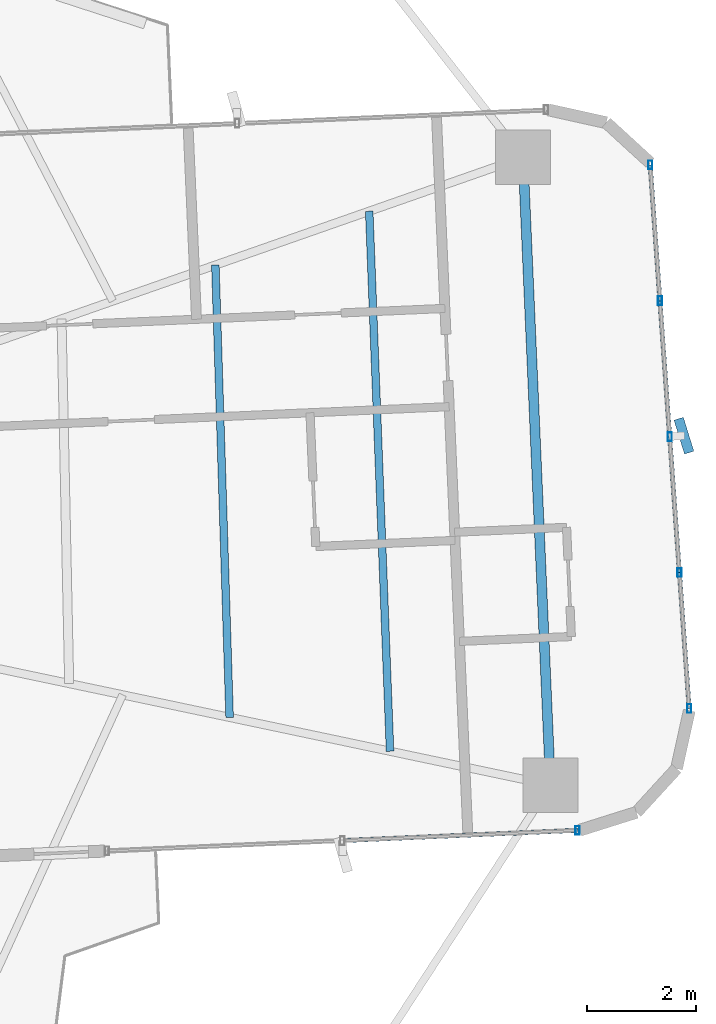
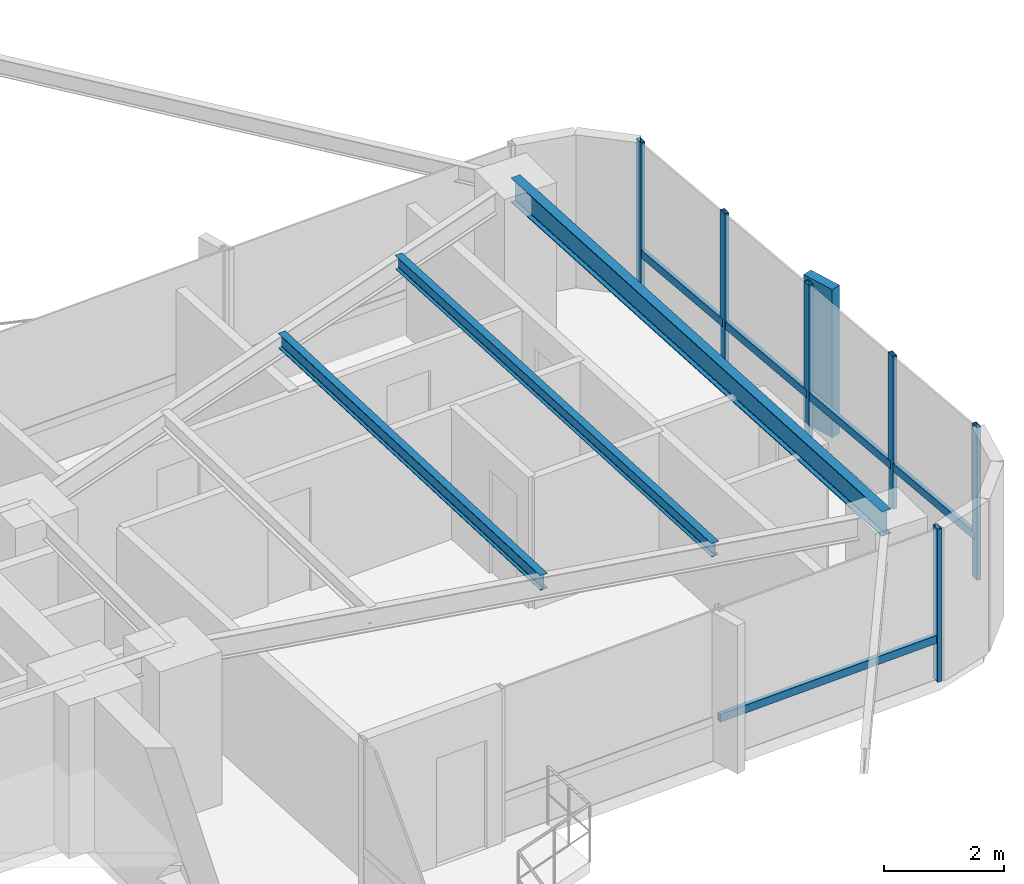
# One storey, part 15 of 27: 12 members, 3 beams, 2 elements without a shape of their own.
"""IFC4 building model written with IfcOpenShell, lengths in metres."""

from ifc_helpers import new_model, si_unit, direction, frame, origin, origin_2d, place, context, subcontext, project, spatial, rectangle, hollow_rectangle, i_section, extrude, source, transform, mapped, material, material_profile, profile_set, type_object, element, aggregate, save


model = new_model("IFC4")

# Units and contexts
model_context = context("Model", 3, precision=1e-05, world=origin(), true_north=direction((0.0, 1.0)))
body_context = subcontext(model_context, "Body", "Model", "MODEL_VIEW")
ifc_project = project(units=[si_unit("LENGTHUNIT", "METRE"), si_unit("AREAUNIT", "SQUARE_METRE"), si_unit("VOLUMEUNIT", "CUBIC_METRE"), si_unit("PLANEANGLEUNIT", "RADIAN"), si_unit("MASSUNIT", "GRAM", prefix="KILO")], contexts=[model_context])

# Site, building, storey
site_placement = place(None, origin())
site = spatial("IfcSite", under=ifc_project, at=site_placement, CompositionType="ELEMENT")
building_placement = place(site_placement, origin())
building = spatial("IfcBuilding", under=site, at=building_placement, Name="Sahyath Konkavel Grand Hotel", CompositionType="ELEMENT")
storey_placement = place(building_placement, frame((0.0, 0.0, 90.199951171875)))
storey = spatial("IfcBuildingStorey", under=building, at=storey_placement, Name="L24", CompositionType="ELEMENT", Elevation=90.199951171875)

# Beams
ifc_material_1 = material(Name="Steel E350", Category="steel")
ifc_material_profile_1 = material_profile(ifc_material_1, i_section(OverallWidth=0.179931640625, OverallDepth=0.5, WebThickness=0.01025390625, FlangeThickness=0.01708984375, FilletRadius=0.01708984375, at=origin_2d()), Name="ISMB 500")
ifc_profile_set_1 = profile_set([ifc_material_profile_1], Name="Steel E350")
beam_type_1 = type_object("IfcBeamType", Name="BM-ISMB500", PredefinedType="BEAM", material=ifc_profile_set_1)
shared_shape_1 = source(origin(), body_context, "Body", "SweptSolid", [
    extrude(i_section(OverallWidth=0.179931640625, OverallDepth=0.5, WebThickness=0.01025390625, FlangeThickness=0.01708984375, FilletRadius=0.01708984375, at=origin_2d()), origin(), (0.0, 0.0, 1.0), 11.5),
])
beam_1_placement = place(storey_placement, frame((17.734130859375, -4.981201171875, 2.860107421875), z_axis=(-0.043627008892, 0.99904788879, 0.0), x_axis=(-0.99904788879, -0.043627008892, 0.0)))
element("IfcBeam", 1, at=beam_1_placement, inside=storey, type_object=beam_type_1, Name="L24 Wing Tip Edge Beam E", PredefinedType="BEAM", context=body_context, shape_type="MappedRepresentation", body=[
    mapped(shared_shape_1, transform((0.0, 0.0, 0.0), scale=1.0)),
])
ifc_material_profile_2 = material_profile(ifc_material_1, i_section(OverallWidth=0.139892578125, OverallDepth=0.300048828125, WebThickness=0.0078125, FlangeThickness=0.01318359375, FilletRadius=0.013916015625, at=origin_2d()), Name="ISMB 300")
ifc_profile_set_2 = profile_set([ifc_material_profile_2], Name="Steel E350")
beam_type_2 = type_object("IfcBeamType", Name="BM-ISMB300", PredefinedType="BEAM", material=ifc_profile_set_2)
shared_shape_2 = source(origin(), body_context, "Body", "SweptSolid", [
    extrude(i_section(OverallWidth=0.139892578125, OverallDepth=0.300048828125, WebThickness=0.0078125, FlangeThickness=0.01318359375, FilletRadius=0.013916015625, at=origin_2d()), origin(), (0.0, 0.0, 1.0), 8.282470703125),
])
beam_2_placement = place(storey_placement, frame((11.86181640625, -3.7421875, 2.9599609375), z_axis=(-0.031510827707, 0.999503410568, 0.0), x_axis=(-0.999503410568, -0.031510827707, 0.0)))
element("IfcBeam", 2, at=beam_2_placement, inside=storey, type_object=beam_type_2, Name="L24 Secondary Floor Beam E-2", PredefinedType="BEAM", context=body_context, shape_type="MappedRepresentation", body=[
    mapped(shared_shape_2, transform((0.0, 0.0, 0.0), scale=1.0)),
])
ifc_material_profile_3 = material_profile(ifc_material_1, i_section(OverallWidth=0.139892578125, OverallDepth=0.27490234375, WebThickness=0.00634765625, FlangeThickness=0.0087890625, FilletRadius=0.012939453125, at=origin_2d()), Name="ISLB 275")
ifc_profile_set_3 = profile_set([ifc_material_profile_3], Name="Steel E350")
beam_type_3 = type_object("IfcBeamType", Name="BM-ISLB275", PredefinedType="BEAM", material=ifc_profile_set_3)
shared_shape_3 = source(origin(), body_context, "Body", "SweptSolid", [
    extrude(i_section(OverallWidth=0.139892578125, OverallDepth=0.27490234375, WebThickness=0.00634765625, FlangeThickness=0.0087890625, FilletRadius=0.012939453125, at=origin_2d()), origin(), (0.0, 0.0, 1.0), 9.89111328125),
])
beam_3_placement = place(storey_placement, frame((14.798095703125, -4.36181640625, 2.97265625), z_axis=(-0.03855445741, 0.999256500511, 0.0), x_axis=(-0.999256500511, -0.03855445741, 0.0)))
element("IfcBeam", 3, at=beam_3_placement, inside=storey, type_object=beam_type_3, Name="L24 Secondary Floor Beam E-3", PredefinedType="BEAM", context=body_context, shape_type="MappedRepresentation", body=[
    mapped(shared_shape_3, transform((0.0, 0.0, 0.0), scale=1.0)),
])

# Curtain wall, member
ifc_material_2 = material(Name="Anodised Bronze Aluminium & Low-E Glazing", Category="aluminium")
curtain_wall_type = type_object("IfcCurtainWallType", Name="CW-ZONE2", PredefinedType="NOTDEFINED", material=ifc_material_2)
curtain_wall_1_placement = place(storey_placement, origin())
curtain_wall_1 = element("IfcCurtainWall", 4, at=curtain_wall_1_placement, inside=storey, type_object=curtain_wall_type, Name="L24 Unitised Curtain Wall F4", PredefinedType="NOTDEFINED")
ifc_material_3 = material(Name="Warm Buff Sandstone Cladding on Concrete C50/60", Category="masonry")
ifc_material_profile_4 = material_profile(ifc_material_3, rectangle(XDim=0.179931640625, YDim=0.64990234375, at=origin_2d()), Name="FIN 180x650")
ifc_profile_set_4 = profile_set([ifc_material_profile_4], Name="Warm Buff Sandstone Cladding on Concrete C50/60")
member_type_1 = type_object("IfcMemberType", Name="FIN-SANDSTONE-650", PredefinedType="MULLION", material=ifc_profile_set_4)
shared_shape_4 = source(origin(), body_context, "Body", "SweptSolid", [
    extrude(rectangle(XDim=0.179931640625, YDim=0.64990234375, at=origin_2d()), origin(), (0.0, 0.0, 1.0), 3.010009765625),
])
member_1_placement = place(storey_placement, frame((20.1767578125, 1.413818359375, 0.050048828125), z_axis=(0.0, 0.0, 1.0), x_axis=(0.955278362122, 0.295708050044, 0.0)))
member_1 = element("IfcMember", 5, at=member_1_placement, type_object=member_type_1, Name="L24 Sandstone Vertical Solar Fin FIN F4-2", PredefinedType="MULLION", context=body_context, shape_type="MappedRepresentation", body=[
    mapped(shared_shape_4, transform((0.0, 0.0, 0.0), scale=1.0)),
])

curtain_wall_2_placement = place(storey_placement, origin())
curtain_wall_2 = element("IfcCurtainWall", 6, at=curtain_wall_2_placement, inside=storey, type_object=curtain_wall_type, Name="L24 Unitised Curtain Wall F0", PredefinedType="NOTDEFINED")
ifc_material_4 = material(Name="Anodised Bronze Aluminium", Category="aluminium")
ifc_material_profile_5 = material_profile(ifc_material_4, hollow_rectangle(XDim=0.080078125, YDim=0.159912109375, WallThickness=0.006103515625, at=origin_2d()), Name="RHS 160x80x6")
ifc_profile_set_5 = profile_set([ifc_material_profile_5], Name="Anodised Bronze Aluminium")
member_type_2 = type_object("IfcMemberType", Name="CW-MUL-160", PredefinedType="MULLION", material=ifc_profile_set_5)
shared_shape_5 = source(origin(), body_context, "Body", "SweptSolid", [
    extrude(hollow_rectangle(XDim=0.080078125, YDim=0.159912109375, WallThickness=0.006103515625, at=origin_2d()), origin(), (0.0, 0.0, 1.0), 3.110107421875),
])
member_2_placement = place(storey_placement, frame((18.230712890625, -5.810302734375, 0.0), z_axis=(0.0, 0.0, 1.0), x_axis=(1.0, 0.0, 0.0)))
member_2 = element("IfcMember", 7, at=member_2_placement, type_object=member_type_2, Name="L24 Curtain Wall Mullion F0-2", PredefinedType="MULLION", context=body_context, shape_type="MappedRepresentation", body=[
    mapped(shared_shape_5, transform((0.0, 0.0, 0.0), scale=1.0)),
])

# Member
member_3_placement = place(storey_placement, frame((20.2744140625, -3.5791015625, 0.0), z_axis=(0.0, 0.0, 1.0), x_axis=(1.0, 0.0, 0.0)))
member_3 = element("IfcMember", 8, at=member_3_placement, type_object=member_type_2, Name="L24 Curtain Wall Mullion F4-0", PredefinedType="MULLION", context=body_context, shape_type="MappedRepresentation", body=[
    mapped(shared_shape_5, transform((0.0, 0.0, 0.0), scale=1.0)),
])

member_4_placement = place(storey_placement, frame((20.095947265625, -1.092041015625, 0.0), z_axis=(0.0, 0.0, 1.0), x_axis=(1.0, 0.0, 0.0)))
member_4 = element("IfcMember", 9, at=member_4_placement, type_object=member_type_2, Name="L24 Curtain Wall Mullion F4-1", PredefinedType="MULLION", context=body_context, shape_type="MappedRepresentation", body=[
    mapped(shared_shape_5, transform((0.0, 0.0, 0.0), scale=1.0)),
])

member_5_placement = place(storey_placement, frame((19.91748046875, 1.39501953125, 0.0), z_axis=(0.0, 0.0, 1.0), x_axis=(1.0, 0.0, 0.0)))
member_5 = element("IfcMember", 10, at=member_5_placement, type_object=member_type_2, Name="L24 Curtain Wall Mullion F4-2", PredefinedType="MULLION", context=body_context, shape_type="MappedRepresentation", body=[
    mapped(shared_shape_5, transform((0.0, 0.0, 0.0), scale=1.0)),
])

member_6_placement = place(storey_placement, frame((19.739013671875, 3.882080078125, 0.0), z_axis=(0.0, 0.0, 1.0), x_axis=(1.0, 0.0, 0.0)))
member_6 = element("IfcMember", 11, at=member_6_placement, type_object=member_type_2, Name="L24 Curtain Wall Mullion F4-3", PredefinedType="MULLION", context=body_context, shape_type="MappedRepresentation", body=[
    mapped(shared_shape_5, transform((0.0, 0.0, 0.0), scale=1.0)),
])

member_7_placement = place(storey_placement, frame((19.560546875, 6.369384765625, 0.0), z_axis=(0.0, 0.0, 1.0), x_axis=(1.0, 0.0, 0.0)))
member_7 = element("IfcMember", 12, at=member_7_placement, type_object=member_type_2, Name="L24 Curtain Wall Mullion F4-4", PredefinedType="MULLION", context=body_context, shape_type="MappedRepresentation", body=[
    mapped(shared_shape_5, transform((0.0, 0.0, 0.0), scale=1.0)),
])

ifc_material_profile_6 = material_profile(ifc_material_4, hollow_rectangle(XDim=0.080078125, YDim=0.159912109375, WallThickness=0.006103515625, at=origin_2d()), Name="RHS 160x80x6")
ifc_profile_set_6 = profile_set([ifc_material_profile_6], Name="Anodised Bronze Aluminium")
member_type_3 = type_object("IfcMemberType", Name="CW-TRN-160", PredefinedType="USERDEFINED", material=ifc_profile_set_6)
shared_shape_6 = source(origin(), body_context, "Body", "SweptSolid", [
    extrude(hollow_rectangle(XDim=0.080078125, YDim=0.159912109375, WallThickness=0.006103515625, at=origin_2d()), origin(), (0.0, 0.0, 1.0), 4.31005859375),
])
member_8_placement = place(storey_placement, frame((13.9248046875, -5.998291015625, 0.85009765625), z_axis=(0.999048340188, 0.043616670746, 0.0), x_axis=(-0.043616670746, 0.999048340188, 0.0)))
member_8 = element("IfcMember", 13, at=member_8_placement, type_object=member_type_3, Name="L24 Curtain Wall Transom F0-1-spandrel", ObjectType="TRANSOM", PredefinedType="USERDEFINED", context=body_context, shape_type="MappedRepresentation", body=[
    mapped(shared_shape_6, transform((0.0, 0.0, 0.0), scale=1.0)),
])

aggregate(curtain_wall_2, [member_2, member_8])

shared_shape_7 = source(origin(), body_context, "Body", "SweptSolid", [
    extrude(hollow_rectangle(XDim=0.080078125, YDim=0.159912109375, WallThickness=0.006103515625, at=origin_2d()), origin(), (0.0, 0.0, 1.0), 2.493408203125),
])
member_9_placement = place(storey_placement, frame((20.2744140625, -3.5791015625, 0.85009765625), z_axis=(-0.071574084062, 0.997435286367, 0.0), x_axis=(-0.997435286367, -0.071574084062, 0.0)))
member_9 = element("IfcMember", 14, at=member_9_placement, type_object=member_type_3, Name="L24 Curtain Wall Transom F4-0-spandrel", ObjectType="TRANSOM", PredefinedType="USERDEFINED", context=body_context, shape_type="MappedRepresentation", body=[
    mapped(shared_shape_7, transform((0.0, 0.0, 0.0), scale=1.0)),
])

member_10_placement = place(storey_placement, frame((20.095947265625, -1.092041015625, 0.85009765625), z_axis=(-0.071574084062, 0.997435286367, 0.0), x_axis=(-0.997435286367, -0.071574084062, 0.0)))
member_10 = element("IfcMember", 15, at=member_10_placement, type_object=member_type_3, Name="L24 Curtain Wall Transom F4-1-spandrel", ObjectType="TRANSOM", PredefinedType="USERDEFINED", context=body_context, shape_type="MappedRepresentation", body=[
    mapped(shared_shape_7, transform((0.0, 0.0, 0.0), scale=1.0)),
])

member_11_placement = place(storey_placement, frame((19.91748046875, 1.39501953125, 0.85009765625), z_axis=(-0.071574084062, 0.997435286367, 0.0), x_axis=(-0.997435286367, -0.071574084062, 0.0)))
member_11 = element("IfcMember", 16, at=member_11_placement, type_object=member_type_3, Name="L24 Curtain Wall Transom F4-2-spandrel", ObjectType="TRANSOM", PredefinedType="USERDEFINED", context=body_context, shape_type="MappedRepresentation", body=[
    mapped(shared_shape_7, transform((0.0, 0.0, 0.0), scale=1.0)),
])

shared_shape_8 = source(origin(), body_context, "Body", "SweptSolid", [
    extrude(hollow_rectangle(XDim=0.080078125, YDim=0.159912109375, WallThickness=0.006103515625, at=origin_2d()), origin(), (0.0, 0.0, 1.0), 2.49365234375),
])
member_12_placement = place(storey_placement, frame((19.739013671875, 3.882080078125, 0.85009765625), z_axis=(-0.071567094714, 0.997435787885, 0.0), x_axis=(-0.997435787885, -0.071567094714, 0.0)))
member_12 = element("IfcMember", 17, at=member_12_placement, type_object=member_type_3, Name="L24 Curtain Wall Transom F4-3-spandrel", ObjectType="TRANSOM", PredefinedType="USERDEFINED", context=body_context, shape_type="MappedRepresentation", body=[
    mapped(shared_shape_8, transform((0.0, 0.0, 0.0), scale=1.0)),
])

aggregate(curtain_wall_1, [member_3, member_4, member_5, member_1, member_6, member_7, member_9, member_10, member_11, member_12])

save(model, "model.ifc")
